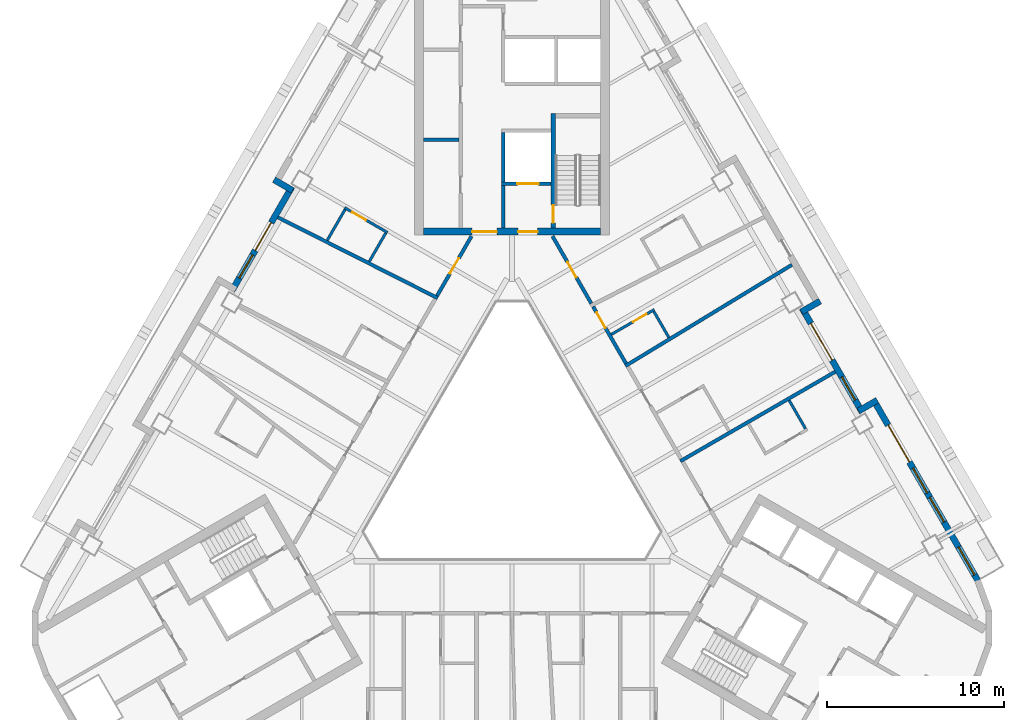
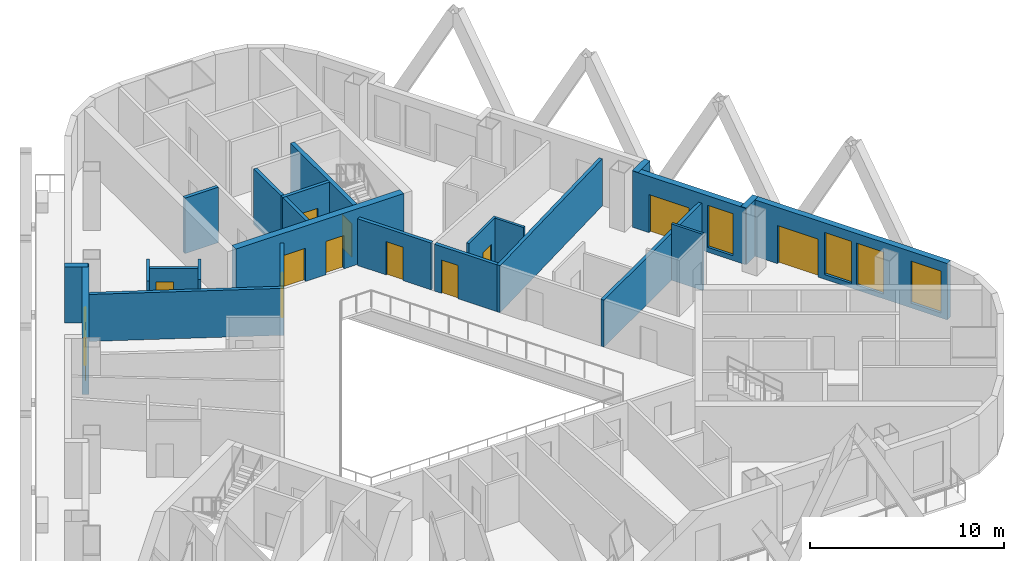
# One storey, part 6 of 14: 24 walls, 12 doors, 5 windows, 17 openings.
"""IFC4 building model written with IfcOpenShell, lengths in metres."""

from ifc_helpers import new_model, si_unit, direction, frame, frame_2d, origin, place, context, subcontext, project, spatial, rectangle, extrude, material, layer, layer_set, type_object, element, fill, save


model = new_model("IFC4")

# Units and contexts
model_context = context("Model", 3, precision=1e-05, world=origin(), true_north=direction((0.0, 1.0)))
body_context = subcontext(model_context, "Body", "Model", "MODEL_VIEW")
ifc_project = project(units=[si_unit("LENGTHUNIT", "METRE"), si_unit("AREAUNIT", "SQUARE_METRE"), si_unit("VOLUMEUNIT", "CUBIC_METRE"), si_unit("PLANEANGLEUNIT", "RADIAN"), si_unit("MASSUNIT", "GRAM", prefix="KILO")], contexts=[model_context])

# Site, building, storey
site_placement = place(None, origin())
site = spatial("IfcSite", under=ifc_project, at=site_placement, CompositionType="ELEMENT")
building_placement = place(site_placement, origin())
building = spatial("IfcBuilding", under=site, at=building_placement, Name="Apuvela Tower Hotel", CompositionType="ELEMENT")
storey_placement = place(building_placement, frame((0.0, 0.0, 90.89990234375)))
storey = spatial("IfcBuildingStorey", under=building, at=storey_placement, Name="L20", CompositionType="ELEMENT", Elevation=90.89990234375)

# Wall, openings, doors
ifc_material_1 = material(Name="Concrete C50/60", Category="concrete")
ifc_layer_1 = layer(ifc_material_1, 0.39990234375)
ifc_layer_set_1 = layer_set([ifc_layer_1], Name="COR-WALL-CORE-400")
wall_type_1 = type_object("IfcWallType", Name="COR-WALL-CORE-400", PredefinedType="SHEAR", material=ifc_layer_set_1)
wall_1_placement = place(storey_placement, frame((5.0, 13.10009765625, 0.0), z_axis=(0.0, 0.0, 1.0), x_axis=(-1.0, 0.0, 0.0)))
wall_1 = element("IfcWall", 1, at=wall_1_placement, inside=storey, type_object=wall_type_1, Name="Core wall N", PredefinedType="SHEAR", context=body_context, shape_type="SweptSolid", body=[
    extrude(rectangle(XDim=10.0, YDim=0.39990234375, at=frame_2d((5.0, 0.0))), origin(), (0.0, 0.0, 1.0), 3.5),
])
opening_1_placement = place(wall_1_placement, frame((3.550048828125, 0.0, 0.0)))
opening_1 = element("IfcOpeningElement", 2, at=opening_1_placement, cuts=wall_1, Name="Opening N-FD", PredefinedType="OPENING", context=body_context, shape_type="SweptSolid", body=[
    extrude(rectangle(XDim=1.10009765625, YDim=2.10009765625, at=frame_2d((0.550048828125, 1.050048828125))), frame((0.0, 0.2099609375, 0.0), z_axis=(0.0, -1.0, 0.0), x_axis=(1.0, 0.0, 0.0)), (0.0, 0.0, 1.0), 0.419921875),
])
opening_2_placement = place(wall_1_placement, frame((5.85009765625, 0.0, 0.0)))
opening_2 = element("IfcOpeningElement", 3, at=opening_2_placement, cuts=wall_1, Name="Opening N-GD", PredefinedType="OPENING", context=body_context, shape_type="SweptSolid", body=[
    extrude(rectangle(XDim=1.39990234375, YDim=2.10009765625, at=frame_2d((0.699951171875, 1.050048828125))), frame((0.0, 0.2099609375, 0.0), z_axis=(0.0, -1.0, 0.0), x_axis=(1.0, 0.0, 0.0)), (0.0, 0.0, 1.0), 0.419921875),
])
ifc_material_2 = material(Name="Steel fire door, powder coated", Category="steel")
door_type_1 = type_object("IfcDoorType", Name="COR-FD-1100", OperationType="NOTDEFINED", PredefinedType="DOOR", material=ifc_material_2)
door_1_placement = place(opening_1_placement, frame((1.10009765625, 0.0, 0.0), z_axis=(0.0, 0.0, 1.0), x_axis=(-1.0, 0.0, 0.0)))
door_1 = element("IfcDoor", 4, at=door_1_placement, inside=storey, type_object=door_type_1, Name="Firefighting lobby door N-FD", OperationType="SINGLE_SWING_LEFT", OverallHeight=2.10009765625, OverallWidth=1.10009765625, PredefinedType="DOOR", context=body_context, shape_type="SweptSolid", body=[
    extrude(rectangle(XDim=1.10009765625, YDim=2.10009765625, at=frame_2d((0.550048828125, 1.050048828125))), frame((0.0, 0.02490234375, 0.0), z_axis=(0.0, -1.0, 0.0), x_axis=(1.0, 0.0, 0.0)), (0.0, 0.0, 1.0), 0.050048828125),
])
fill(opening_1, door_1)
ifc_material_3 = material(Name="Glazed steel fire door", Category="steel")
door_type_2 = type_object("IfcDoorType", Name="COR-GD-1400", OperationType="DOUBLE_DOOR_SINGLE_SWING", PredefinedType="DOOR", material=ifc_material_3)
door_2_placement = place(opening_2_placement, frame((1.39990234375, 0.0, 0.0), z_axis=(0.0, 0.0, 1.0), x_axis=(-1.0, 0.0, 0.0)))
door_2 = element("IfcDoor", 5, at=door_2_placement, inside=storey, type_object=door_type_2, Name="Lift lobby door N-GD", OperationType="DOUBLE_DOOR_SINGLE_SWING", OverallHeight=2.10009765625, OverallWidth=1.39990234375, PredefinedType="DOOR", context=body_context, shape_type="SweptSolid", body=[
    extrude(rectangle(XDim=1.39990234375, YDim=2.10009765625, at=frame_2d((0.699951171875, 1.050048828125))), frame((0.0, 0.02490234375, 0.0), z_axis=(0.0, -1.0, 0.0), x_axis=(1.0, 0.0, 0.0)), (0.0, 0.0, 1.0), 0.050048828125),
])
fill(opening_2, door_2)

# Wall, opening, door
ifc_layer_2 = layer(ifc_material_1, 0.199951171875)
ifc_layer_set_2 = layer_set([ifc_layer_2], Name="COR-WALL-SHAFT-200")
wall_type_2 = type_object("IfcWallType", Name="COR-WALL-SHAFT-200", PredefinedType="SHEAR", material=ifc_layer_set_2)
wall_2_placement = place(storey_placement, frame((2.199951171875, 15.800048828125, 0.0), z_axis=(0.0, 0.0, 1.0), x_axis=(-1.0, 0.0, 0.0)))
wall_2 = element("IfcWall", 6, at=wall_2_placement, inside=storey, type_object=wall_type_2, Name="Shaft wall N", PredefinedType="SHEAR", context=body_context, shape_type="SweptSolid", body=[
    extrude(rectangle(XDim=2.800048828125, YDim=0.199951171875, at=frame_2d((1.39990234375, 0.0))), origin(), (0.0, 0.0, 1.0), 3.5),
])
opening_3_placement = place(wall_2_placement, frame((0.699951171875, 0.0, 0.0)))
opening_3 = element("IfcOpeningElement", 7, at=opening_3_placement, cuts=wall_2, Name="Opening N-LD-FS1", PredefinedType="OPENING", context=body_context, shape_type="SweptSolid", body=[
    extrude(rectangle(XDim=1.199951171875, YDim=2.10009765625, at=frame_2d((0.60009765625, 1.050048828125))), frame((0.0, 0.10986328125, 0.0), z_axis=(0.0, -1.0, 0.0), x_axis=(1.0, 0.0, 0.0)), (0.0, 0.0, 1.0), 0.219970703125),
])
ifc_material_4 = material(Name="Stainless steel lift landing door", Category="steel")
door_type_3 = type_object("IfcDoorType", Name="COR-LD-1200", OperationType="DOUBLE_DOOR_SLIDING", PredefinedType="DOOR", material=ifc_material_4)
door_3_placement = place(opening_3_placement, origin())
door_3 = element("IfcDoor", 8, at=door_3_placement, inside=storey, type_object=door_type_3, Name="Lift landing door N-LD-FS1", OperationType="DOUBLE_DOOR_SLIDING", OverallHeight=2.10009765625, OverallWidth=1.199951171875, PredefinedType="DOOR", context=body_context, shape_type="SweptSolid", body=[
    extrude(rectangle(XDim=1.199951171875, YDim=2.10009765625, at=frame_2d((0.60009765625, 1.050048828125))), frame((0.0, 0.02490234375, 0.0), z_axis=(0.0, -1.0, 0.0), x_axis=(1.0, 0.0, 0.0)), (0.0, 0.0, 1.0), 0.050048828125),
])
fill(opening_3, door_3)

# Walls
wall_3_placement = place(storey_placement, frame((-0.5, 15.89990234375, 0.0), z_axis=(0.0, 0.0, 1.0), x_axis=(0.0, 1.0, 0.0)))
element("IfcWall", 9, at=wall_3_placement, inside=storey, type_object=wall_type_2, Name="Shaft wall N", PredefinedType="SHEAR", context=body_context, shape_type="SweptSolid", body=[
    extrude(rectangle(XDim=2.800048828125, YDim=0.199951171875, at=frame_2d((1.39990234375, 0.0))), origin(), (0.0, 0.0, 1.0), 3.5),
])
wall_4_placement = place(storey_placement, frame((-0.5, 13.300048828125, 0.0), z_axis=(0.0, 0.0, 1.0), x_axis=(0.0, 1.0, 0.0)))
element("IfcWall", 10, at=wall_4_placement, inside=storey, type_object=wall_type_2, Name="Shaft wall N", PredefinedType="SHEAR", context=body_context, shape_type="SweptSolid", body=[
    extrude(rectangle(XDim=2.39990234375, YDim=0.199951171875, at=frame_2d((1.199951171875, 0.0))), origin(), (0.0, 0.0, 1.0), 3.5),
])
wall_5_placement = place(storey_placement, frame((-3.0, 18.280029296875, 0.0), z_axis=(0.0, 0.0, 1.0), x_axis=(-1.0, 0.0, 0.0)))
element("IfcWall", 11, at=wall_5_placement, inside=storey, type_object=wall_type_2, Name="Shaft wall N", PredefinedType="SHEAR", context=body_context, shape_type="SweptSolid", body=[
    extrude(rectangle(XDim=2.0, YDim=0.199951171875, at=frame_2d((1.0, 0.0))), origin(), (0.0, 0.0, 1.0), 3.5),
])

# Wall, opening, door
ifc_layer_3 = layer(ifc_material_1, 0.25)
ifc_layer_set_3 = layer_set([ifc_layer_3], Name="COR-WALL-STAIR-250")
wall_type_3 = type_object("IfcWallType", Name="COR-WALL-STAIR-250", PredefinedType="SHEAR", material=ifc_layer_set_3)
wall_6_placement = place(storey_placement, frame((2.324951171875, 13.300048828125, 0.0), z_axis=(0.0, 0.0, 1.0), x_axis=(0.0, 1.0, 0.0)))
wall_6 = element("IfcWall", 12, at=wall_6_placement, inside=storey, type_object=wall_type_3, Name="Stair wall N", PredefinedType="SHEAR", context=body_context, shape_type="SweptSolid", body=[
    extrude(rectangle(XDim=6.449951171875, YDim=0.25, at=frame_2d((3.22509765625, 0.0))), origin(), (0.0, 0.0, 1.0), 3.5),
])
opening_4_placement = place(wall_6_placement, frame((0.300048828125, 0.0, 0.0)))
opening_4 = element("IfcOpeningElement", 13, at=opening_4_placement, cuts=wall_6, Name="Opening N-SD", PredefinedType="OPENING", context=body_context, shape_type="SweptSolid", body=[
    extrude(rectangle(XDim=1.0, YDim=2.10009765625, at=frame_2d((0.5, 1.050048828125))), frame((0.0, 0.135009765625, 0.0), z_axis=(0.0, -1.0, 0.0), x_axis=(1.0, 0.0, 0.0)), (0.0, 0.0, 1.0), 0.27001953125),
])
door_type_4 = type_object("IfcDoorType", Name="COR-SD-1000", OperationType="NOTDEFINED", PredefinedType="DOOR", material=ifc_material_2)
door_4_placement = place(opening_4_placement, frame((1.0, 0.0, 0.0), z_axis=(0.0, 0.0, 1.0), x_axis=(-1.0, 0.0, 0.0)))
door_4 = element("IfcDoor", 14, at=door_4_placement, inside=storey, type_object=door_type_4, Name="Stair door N-SD", OperationType="SINGLE_SWING_LEFT", OverallHeight=2.10009765625, OverallWidth=1.0, PredefinedType="DOOR", context=body_context, shape_type="SweptSolid", body=[
    extrude(rectangle(XDim=1.0, YDim=2.10009765625, at=frame_2d((0.5, 1.050048828125))), frame((0.0, 0.02490234375, 0.0), z_axis=(0.0, -1.0, 0.0), x_axis=(1.0, 0.0, 0.0)), (0.0, 0.0, 1.0), 0.050048828125),
])
fill(opening_4, door_4)

# Wall
ifc_material_5 = material(Name="Concrete C40/50, dark pigmented precast panel", Category="concrete")
ifc_layer_4 = layer(ifc_material_5, 0.35009765625)
ifc_layer_set_4 = layer_set([ifc_layer_4], Name="ENV-WALL-350")
wall_type_4 = type_object("IfcWallType", Name="ENV-WALL-350", PredefinedType="SOLIDWALL", material=ifc_layer_set_4)
wall_7_placement = place(storey_placement, frame((-13.41259765625, 16.02880859375, 0.0), z_axis=(0.0, 0.0, 1.0), x_axis=(0.866005645448, -0.500034220881, 0.0)))
element("IfcWall", 15, at=wall_7_placement, inside=storey, type_object=wall_type_4, Name="External wall L20-02", PredefinedType="SOLIDWALL", context=body_context, shape_type="SweptSolid", body=[
    extrude(rectangle(XDim=1.22021484375, YDim=0.35009765625, at=frame_2d((0.610107421875, 0.0))), origin(), (0.0, 0.0, 1.0), 3.550048828125),
])

# Wall, openings, door, window
wall_8_placement = place(storey_placement, frame((-12.408935546875, 15.616943359375, 0.0), z_axis=(0.0, 0.0, 1.0), x_axis=(-0.500003597184, -0.866023326939, 0.0)))
wall_8 = element("IfcWall", 16, at=wall_8_placement, inside=storey, type_object=wall_type_4, Name="External wall L20-03", PredefinedType="SOLIDWALL", context=body_context, shape_type="SweptSolid", body=[
    extrude(rectangle(XDim=6.740234375, YDim=0.35009765625, at=frame_2d((3.3701171875, 0.0))), origin(), (0.0, 0.0, 1.0), 3.550048828125),
])
opening_5_placement = place(wall_8_placement, frame((2.320068359375, 0.0, 0.0)))
opening_5 = element("IfcOpeningElement", 17, at=opening_5_placement, cuts=wall_8, Name="Opening BD18", PredefinedType="OPENING", context=body_context, shape_type="SweptSolid", body=[
    extrude(rectangle(XDim=1.800048828125, YDim=2.39990234375, at=frame_2d((0.89990234375, 1.199951171875))), frame((0.0, 0.18505859375, 0.0), z_axis=(0.0, -1.0, 0.0), x_axis=(1.0, 0.0, 0.0)), (0.0, 0.0, 1.0), 0.3701171875),
])
opening_6_placement = place(wall_8_placement, frame((4.419921875, 0.0, 0.300048828125)))
opening_6 = element("IfcOpeningElement", 18, at=opening_6_placement, cuts=wall_8, Name="Opening WN15", PredefinedType="OPENING", context=body_context, shape_type="SweptSolid", body=[
    extrude(rectangle(XDim=1.5, YDim=2.64990234375, at=frame_2d((0.75, 1.324951171875))), frame((0.0, 0.18505859375, 0.0), z_axis=(0.0, -1.0, 0.0), x_axis=(1.0, 0.0, 0.0)), (0.0, 0.0, 1.0), 0.3701171875),
])
ifc_material_6 = material(Name="Aluminium 6063-T6, dark bronze anodised frame with dark tinted laminated glass", Category="aluminium")
door_type_5 = type_object("IfcDoorType", Name="ENV-DOOR-BALCONY-1800x2400", OperationType="SLIDING_TO_LEFT", PredefinedType="DOOR", material=ifc_material_6)
door_5_placement = place(opening_5_placement, frame((1.800048828125, 0.0, 0.0), z_axis=(0.0, 0.0, 1.0), x_axis=(-1.0, 0.0, 0.0)))
door_5 = element("IfcDoor", 19, at=door_5_placement, inside=storey, type_object=door_type_5, Name="Balcony door BD18", OperationType="SLIDING_TO_LEFT", OverallHeight=2.39990234375, OverallWidth=1.800048828125, PredefinedType="DOOR", context=body_context, shape_type="SweptSolid", body=[
    extrude(rectangle(XDim=1.800048828125, YDim=2.39990234375, at=frame_2d((0.89990234375, 1.199951171875))), frame((0.0, 0.02490234375, 0.0), z_axis=(0.0, -1.0, 0.0), x_axis=(1.0, 0.0, 0.0)), (0.0, 0.0, 1.0), 0.050048828125),
])
fill(opening_5, door_5)
ifc_material_7 = material(Name="Glass, dark tinted laminated insulated glazing unit", Category="glass")
window_type_1 = type_object("IfcWindowType", Name="ENV-WIN-1500x2650", PartitioningType="SINGLE_PANEL", PredefinedType="WINDOW", material=ifc_material_7)
window_1_placement = place(opening_6_placement, origin())
window_1 = element("IfcWindow", 20, at=window_1_placement, inside=storey, type_object=window_type_1, Name="Window WN15", OverallHeight=2.64990234375, OverallWidth=1.5, PartitioningType="SINGLE_PANEL", PredefinedType="WINDOW", context=body_context, shape_type="SweptSolid", body=[
    extrude(rectangle(XDim=1.5, YDim=2.64990234375, at=frame_2d((0.75, 1.324951171875))), frame((0.0, 0.030029296875, 0.0), z_axis=(0.0, -1.0, 0.0), x_axis=(1.0, 0.0, 0.0)), (0.0, 0.0, 1.0), 0.06005859375),
])
fill(opening_6, window_1)

# Wall, openings, door, windows
wall_9_placement = place(storey_placement, frame((26.256591796875, -6.5673828125, 0.0), z_axis=(0.0, 0.0, 1.0), x_axis=(-0.500023526245, 0.866011820475, 0.0)))
wall_9 = element("IfcWall", 21, at=wall_9_placement, inside=storey, type_object=wall_type_4, Name="External wall L20-33", PredefinedType="SOLIDWALL", context=body_context, shape_type="SweptSolid", body=[
    extrude(rectangle(XDim=11.81591796875, YDim=0.35009765625, at=frame_2d((5.907958984375, 0.0))), origin(), (0.0, 0.0, 1.0), 3.550048828125),
])
opening_7_placement = place(wall_9_placement, frame((0.380126953125, 0.0, 0.300048828125)))
opening_7 = element("IfcOpeningElement", 22, at=opening_7_placement, cuts=wall_9, Name="Opening WN18", PredefinedType="OPENING", context=body_context, shape_type="SweptSolid", body=[
    extrude(rectangle(XDim=1.800048828125, YDim=2.64990234375, at=frame_2d((0.89990234375, 1.324951171875))), frame((0.0, 0.18505859375, 0.0), z_axis=(0.0, -1.0, 0.0), x_axis=(1.0, 0.0, 0.0)), (0.0, 0.0, 1.0), 0.3701171875),
])
opening_8_placement = place(wall_9_placement, frame((7.71630859375, 0.0, 0.0)))
opening_8 = element("IfcOpeningElement", 23, at=opening_8_placement, cuts=wall_9, Name="Opening BD24", PredefinedType="OPENING", context=body_context, shape_type="SweptSolid", body=[
    extrude(rectangle(XDim=2.39990234375, YDim=2.39990234375, at=frame_2d((1.199951171875, 1.199951171875))), frame((0.0, 0.18505859375, 0.0), z_axis=(0.0, -1.0, 0.0), x_axis=(1.0, 0.0, 0.0)), (0.0, 0.0, 1.0), 0.3701171875),
])
opening_9_placement = place(wall_9_placement, frame((3.81591796875, 0.0, 0.300048828125)))
opening_9 = element("IfcOpeningElement", 24, at=opening_9_placement, cuts=wall_9, Name="Opening WN16", PredefinedType="OPENING", context=body_context, shape_type="SweptSolid", body=[
    extrude(rectangle(XDim=1.60009765625, YDim=2.64990234375, at=frame_2d((0.800048828125, 1.324951171875))), frame((0.0, 0.18505859375, 0.0), z_axis=(0.0, -1.0, 0.0), x_axis=(1.0, 0.0, 0.0)), (0.0, 0.0, 1.0), 0.3701171875),
])
opening_10_placement = place(wall_9_placement, frame((5.7158203125, 0.0, 0.300048828125)))
opening_10 = element("IfcOpeningElement", 25, at=opening_10_placement, cuts=wall_9, Name="Opening WN16", PredefinedType="OPENING", context=body_context, shape_type="SweptSolid", body=[
    extrude(rectangle(XDim=1.60009765625, YDim=2.64990234375, at=frame_2d((0.800048828125, 1.324951171875))), frame((0.0, 0.18505859375, 0.0), z_axis=(0.0, -1.0, 0.0), x_axis=(1.0, 0.0, 0.0)), (0.0, 0.0, 1.0), 0.3701171875),
])
door_type_6 = type_object("IfcDoorType", Name="ENV-DOOR-BALCONY-2400x2400", OperationType="SLIDING_TO_LEFT", PredefinedType="DOOR", material=ifc_material_6)
door_6_placement = place(opening_8_placement, frame((2.39990234375, 0.0, 0.0), z_axis=(0.0, 0.0, 1.0), x_axis=(-1.0, 0.0, 0.0)))
door_6 = element("IfcDoor", 26, at=door_6_placement, inside=storey, type_object=door_type_6, Name="Balcony door BD24", OperationType="SLIDING_TO_LEFT", OverallHeight=2.39990234375, OverallWidth=2.39990234375, PredefinedType="DOOR", context=body_context, shape_type="SweptSolid", body=[
    extrude(rectangle(XDim=2.39990234375, YDim=2.39990234375, at=frame_2d((1.199951171875, 1.199951171875))), frame((0.0, 0.02490234375, 0.0), z_axis=(0.0, -1.0, 0.0), x_axis=(1.0, 0.0, 0.0)), (0.0, 0.0, 1.0), 0.050048828125),
])
fill(opening_8, door_6)
window_type_2 = type_object("IfcWindowType", Name="ENV-WIN-1600x2650", PartitioningType="SINGLE_PANEL", PredefinedType="WINDOW", material=ifc_material_7)
window_2_placement = place(opening_9_placement, origin())
window_2 = element("IfcWindow", 27, at=window_2_placement, inside=storey, type_object=window_type_2, Name="Window WN16", OverallHeight=2.64990234375, OverallWidth=1.60009765625, PartitioningType="SINGLE_PANEL", PredefinedType="WINDOW", context=body_context, shape_type="SweptSolid", body=[
    extrude(rectangle(XDim=1.60009765625, YDim=2.64990234375, at=frame_2d((0.800048828125, 1.324951171875))), frame((0.0, 0.030029296875, 0.0), z_axis=(0.0, -1.0, 0.0), x_axis=(1.0, 0.0, 0.0)), (0.0, 0.0, 1.0), 0.06005859375),
])
fill(opening_9, window_2)
window_3_placement = place(opening_10_placement, origin())
window_3 = element("IfcWindow", 28, at=window_3_placement, inside=storey, type_object=window_type_2, Name="Window WN16", OverallHeight=2.64990234375, OverallWidth=1.60009765625, PartitioningType="SINGLE_PANEL", PredefinedType="WINDOW", context=body_context, shape_type="SweptSolid", body=[
    extrude(rectangle(XDim=1.60009765625, YDim=2.64990234375, at=frame_2d((0.800048828125, 1.324951171875))), frame((0.0, 0.030029296875, 0.0), z_axis=(0.0, -1.0, 0.0), x_axis=(1.0, 0.0, 0.0)), (0.0, 0.0, 1.0), 0.06005859375),
])
fill(opening_10, window_3)
window_type_3 = type_object("IfcWindowType", Name="ENV-WIN-1800x2650", PartitioningType="SINGLE_PANEL", PredefinedType="WINDOW", material=ifc_material_7)
window_4_placement = place(opening_7_placement, origin())
window_4 = element("IfcWindow", 29, at=window_4_placement, inside=storey, type_object=window_type_3, Name="Window WN18", OverallHeight=2.64990234375, OverallWidth=1.800048828125, PartitioningType="SINGLE_PANEL", PredefinedType="WINDOW", context=body_context, shape_type="SweptSolid", body=[
    extrude(rectangle(XDim=1.800048828125, YDim=2.64990234375, at=frame_2d((0.89990234375, 1.324951171875))), frame((0.0, 0.030029296875, 0.0), z_axis=(0.0, -1.0, 0.0), x_axis=(1.0, 0.0, 0.0)), (0.0, 0.0, 1.0), 0.06005859375),
])
fill(opening_7, window_4)

# Wall
wall_10_placement = place(storey_placement, frame((20.587646484375, 3.601318359375, 0.0), z_axis=(0.0, 0.0, 1.0), x_axis=(-0.866005645448, -0.500034220881, 0.0)))
element("IfcWall", 30, at=wall_10_placement, inside=storey, type_object=wall_type_4, Name="External wall L20-34", PredefinedType="SOLIDWALL", context=body_context, shape_type="SweptSolid", body=[
    extrude(rectangle(XDim=1.22021484375, YDim=0.35009765625, at=frame_2d((0.610107421875, 0.0))), origin(), (0.0, 0.0, 1.0), 3.550048828125),
])

# Wall, openings, door, window
wall_11_placement = place(storey_placement, frame((19.72900390625, 2.93798828125, 0.0), z_axis=(0.0, 0.0, 1.0), x_axis=(-0.499976430342, 0.866039011305, 0.0)))
wall_11 = element("IfcWall", 31, at=wall_11_placement, inside=storey, type_object=wall_type_4, Name="External wall L20-35", PredefinedType="SOLIDWALL", context=body_context, shape_type="SweptSolid", body=[
    extrude(rectangle(XDim=6.739990234375, YDim=0.35009765625, at=frame_2d((3.3701171875, 0.0))), origin(), (0.0, 0.0, 1.0), 3.550048828125),
])
opening_11_placement = place(wall_11_placement, frame((0.77001953125, 0.0, 0.300048828125)))
opening_11 = element("IfcOpeningElement", 32, at=opening_11_placement, cuts=wall_11, Name="Opening WN15", PredefinedType="OPENING", context=body_context, shape_type="SweptSolid", body=[
    extrude(rectangle(XDim=1.5, YDim=2.64990234375, at=frame_2d((0.75, 1.324951171875))), frame((0.0, 0.18505859375, 0.0), z_axis=(0.0, -1.0, 0.0), x_axis=(1.0, 0.0, 0.0)), (0.0, 0.0, 1.0), 0.3701171875),
])
opening_12_placement = place(wall_11_placement, frame((3.3701171875, 0.0, 0.0)))
opening_12 = element("IfcOpeningElement", 33, at=opening_12_placement, cuts=wall_11, Name="Opening BD24", PredefinedType="OPENING", context=body_context, shape_type="SweptSolid", body=[
    extrude(rectangle(XDim=2.39990234375, YDim=2.39990234375, at=frame_2d((1.199951171875, 1.199951171875))), frame((0.0, 0.18505859375, 0.0), z_axis=(0.0, -1.0, 0.0), x_axis=(1.0, 0.0, 0.0)), (0.0, 0.0, 1.0), 0.3701171875),
])
door_7_placement = place(opening_12_placement, frame((2.39990234375, 0.0, 0.0), z_axis=(0.0, 0.0, 1.0), x_axis=(-1.0, 0.0, 0.0)))
door_7 = element("IfcDoor", 34, at=door_7_placement, inside=storey, type_object=door_type_6, Name="Balcony door BD24", OperationType="SLIDING_TO_LEFT", OverallHeight=2.39990234375, OverallWidth=2.39990234375, PredefinedType="DOOR", context=body_context, shape_type="SweptSolid", body=[
    extrude(rectangle(XDim=2.39990234375, YDim=2.39990234375, at=frame_2d((1.199951171875, 1.199951171875))), frame((0.0, 0.02490234375, 0.0), z_axis=(0.0, -1.0, 0.0), x_axis=(1.0, 0.0, 0.0)), (0.0, 0.0, 1.0), 0.050048828125),
])
fill(opening_12, door_7)
window_5_placement = place(opening_11_placement, origin())
window_5 = element("IfcWindow", 35, at=window_5_placement, inside=storey, type_object=window_type_1, Name="Window WN15", OverallHeight=2.64990234375, OverallWidth=1.5, PartitioningType="SINGLE_PANEL", PredefinedType="WINDOW", context=body_context, shape_type="SweptSolid", body=[
    extrude(rectangle(XDim=1.5, YDim=2.64990234375, at=frame_2d((0.75, 1.324951171875))), frame((0.0, 0.030029296875, 0.0), z_axis=(0.0, -1.0, 0.0), x_axis=(1.0, 0.0, 0.0)), (0.0, 0.0, 1.0), 0.06005859375),
])
fill(opening_11, window_5)

# Walls
wall_12_placement = place(storey_placement, frame((16.305908203125, 8.5771484375, 0.0), z_axis=(0.0, 0.0, 1.0), x_axis=(0.866092288191, 0.499884134912, 0.0)))
element("IfcWall", 36, at=wall_12_placement, inside=storey, type_object=wall_type_4, Name="External wall L20-36", PredefinedType="SOLIDWALL", context=body_context, shape_type="SweptSolid", body=[
    extrude(rectangle(XDim=1.219970703125, YDim=0.35009765625, at=frame_2d((0.60986328125, 0.0))), origin(), (0.0, 0.0, 1.0), 3.550048828125),
])
ifc_material_8 = material(Name="Gypsum board partition on twin steel stud", Category="steel")
ifc_layer_5 = layer(ifc_material_8, 0.199951171875)
ifc_layer_set_5 = layer_set([ifc_layer_5], Name="GST-PW1")
wall_type_5 = type_object("IfcWallType", Name="GST-PW1", PredefinedType="PARTITIONING", material=ifc_layer_set_5)
wall_13_placement = place(storey_placement, frame((18.217529296875, 5.206298828125, 0.0), z_axis=(0.0, 0.0, 1.0), x_axis=(-0.866022637375, -0.500004791531, 0.0)))
element("IfcWall", 37, at=wall_13_placement, inside=storey, type_object=wall_type_5, Name="L20 partition 05", PredefinedType="PARTITIONING", context=body_context, shape_type="SweptSolid", body=[
    extrude(rectangle(XDim=10.080078125, YDim=0.199951171875, at=frame_2d((5.0400390625, 0.0))), origin(), (0.0, 0.0, 1.0), 2.960205078125),
])
wall_14_placement = place(storey_placement, frame((15.777099609375, 11.2333984375, 0.0), z_axis=(0.0, 0.0, 1.0), x_axis=(-0.854689239939, -0.519139964877, 0.0)))
element("IfcWall", 38, at=wall_14_placement, inside=storey, type_object=wall_type_5, Name="L20 partition 06", PredefinedType="PARTITIONING", context=body_context, shape_type="SweptSolid", body=[
    extrude(rectangle(XDim=10.98291015625, YDim=0.199951171875, at=frame_2d((5.491455078125, 0.0))), origin(), (0.0, 0.0, 1.0), 2.960205078125),
])
wall_15_placement = place(storey_placement, frame((-13.1923828125, 13.909912109375, 0.0), z_axis=(0.0, 0.0, 1.0), x_axis=(0.892469554868, -0.451107629766, 0.0)))
element("IfcWall", 39, at=wall_15_placement, inside=storey, type_object=wall_type_5, Name="L20 partition 08", PredefinedType="PARTITIONING", context=body_context, shape_type="SweptSolid", body=[
    extrude(rectangle(XDim=10.095703125, YDim=0.199951171875, at=frame_2d((5.0478515625, 0.0))), origin(), (0.0, 0.0, 1.0), 2.960205078125),
])

# Wall, opening, door
ifc_material_9 = material(Name="Gypsum board corridor wall on twin steel stud, acoustic", Category="steel")
ifc_layer_6 = layer(ifc_material_9, 0.199951171875)
ifc_layer_set_6 = layer_set([ifc_layer_6], Name="GST-PW2")
wall_type_6 = type_object("IfcWallType", Name="GST-PW2", PredefinedType="PARTITIONING", material=ifc_layer_set_6)
wall_16_placement = place(storey_placement, frame((4.572021484375, 8.880859375, 0.0), z_axis=(0.0, 0.0, 1.0), x_axis=(0.500041684057, -0.866001336145, 0.0)))
wall_16 = element("IfcWall", 40, at=wall_16_placement, inside=storey, type_object=wall_type_6, Name="L20 partition 35", PredefinedType="PARTITIONING", context=body_context, shape_type="SweptSolid", body=[
    extrude(rectangle(XDim=3.707275390625, YDim=0.199951171875, at=frame_2d((1.853515625, 0.0))), origin(), (0.0, 0.0, 1.0), 2.9501953125),
])
opening_13_placement = place(wall_16_placement, frame((0.39990234375, 0.0, 0.0)))
opening_13 = element("IfcOpeningElement", 41, at=opening_13_placement, cuts=wall_16, Name="Opening GD06-16", PredefinedType="OPENING", context=body_context, shape_type="SweptSolid", body=[
    extrude(rectangle(XDim=1.0, YDim=2.10009765625, at=frame_2d((0.5, 1.050048828125))), frame((0.0, 0.10986328125, 0.0), z_axis=(0.0, -1.0, 0.0), x_axis=(1.0, 0.0, 0.0)), (0.0, 0.0, 1.0), 0.219970703125),
])
ifc_material_10 = material(Name="Timber door leaf in steel frame", Category="steel")
door_type_7 = type_object("IfcDoorType", Name="GST-D1", OperationType="NOTDEFINED", PredefinedType="DOOR", material=ifc_material_10)
door_8_placement = place(opening_13_placement, origin())
door_8 = element("IfcDoor", 42, at=door_8_placement, inside=storey, type_object=door_type_7, Name="Door L20-16", OperationType="SINGLE_SWING_LEFT", OverallHeight=2.10009765625, OverallWidth=1.0, PredefinedType="DOOR", context=body_context, shape_type="SweptSolid", body=[
    extrude(rectangle(XDim=1.0, YDim=2.10009765625, at=frame_2d((0.5, 1.050048828125))), frame((0.0, 0.02490234375, 0.0), z_axis=(0.0, -1.0, 0.0), x_axis=(1.0, 0.0, 0.0)), (0.0, 0.0, 1.0), 0.050048828125),
])
fill(opening_13, door_8)

wall_17_placement = place(storey_placement, frame((2.280517578125, 12.85009765625, 0.0), z_axis=(0.0, 0.0, 1.0), x_axis=(0.499973180286, -0.8660408876, 0.0)))
wall_17 = element("IfcWall", 43, at=wall_17_placement, inside=storey, type_object=wall_type_6, Name="L20 partition 38", PredefinedType="PARTITIONING", context=body_context, shape_type="SweptSolid", body=[
    extrude(rectangle(XDim=4.383056640625, YDim=0.199951171875, at=frame_2d((2.19140625, 0.0))), origin(), (0.0, 0.0, 1.0), 2.9501953125),
])
opening_14_placement = place(wall_17_placement, frame((1.69140625, 0.0, 0.0)))
opening_14 = element("IfcOpeningElement", 44, at=opening_14_placement, cuts=wall_17, Name="Opening GD06-18", PredefinedType="OPENING", context=body_context, shape_type="SweptSolid", body=[
    extrude(rectangle(XDim=1.0, YDim=2.10009765625, at=frame_2d((0.5, 1.050048828125))), frame((0.0, 0.10986328125, 0.0), z_axis=(0.0, -1.0, 0.0), x_axis=(1.0, 0.0, 0.0)), (0.0, 0.0, 1.0), 0.219970703125),
])
door_9_placement = place(opening_14_placement, origin())
door_9 = element("IfcDoor", 45, at=door_9_placement, inside=storey, type_object=door_type_7, Name="Door L20-18", OperationType="SINGLE_SWING_RIGHT", OverallHeight=2.10009765625, OverallWidth=1.0, PredefinedType="DOOR", context=body_context, shape_type="SweptSolid", body=[
    extrude(rectangle(XDim=1.0, YDim=2.10009765625, at=frame_2d((0.5, 1.050048828125))), frame((0.0, 0.02490234375, 0.0), z_axis=(0.0, -1.0, 0.0), x_axis=(1.0, 0.0, 0.0)), (0.0, 0.0, 1.0), 0.050048828125),
])
fill(opening_14, door_9)

wall_18_placement = place(storey_placement, frame((-4.2216796875, 9.48779296875, 0.0), z_axis=(0.0, 0.0, 1.0), x_axis=(0.49998736472, 0.866032698644, 0.0)))
wall_18 = element("IfcWall", 46, at=wall_18_placement, inside=storey, type_object=wall_type_6, Name="L20 partition 42", PredefinedType="PARTITIONING", context=body_context, shape_type="SweptSolid", body=[
    extrude(rectangle(XDim=3.88232421875, YDim=0.199951171875, at=frame_2d((1.941162109375, 0.0))), origin(), (0.0, 0.0, 1.0), 2.9501953125),
])
opening_15_placement = place(wall_18_placement, frame((1.44140625, 0.0, 0.0)))
opening_15 = element("IfcOpeningElement", 47, at=opening_15_placement, cuts=wall_18, Name="Opening GD06-20", PredefinedType="OPENING", context=body_context, shape_type="SweptSolid", body=[
    extrude(rectangle(XDim=1.0, YDim=2.10009765625, at=frame_2d((0.5, 1.050048828125))), frame((0.0, 0.10986328125, 0.0), z_axis=(0.0, -1.0, 0.0), x_axis=(1.0, 0.0, 0.0)), (0.0, 0.0, 1.0), 0.219970703125),
])
door_10_placement = place(opening_15_placement, origin())
door_10 = element("IfcDoor", 48, at=door_10_placement, inside=storey, type_object=door_type_7, Name="Door L20-20", OperationType="SINGLE_SWING_LEFT", OverallHeight=2.10009765625, OverallWidth=1.0, PredefinedType="DOOR", context=body_context, shape_type="SweptSolid", body=[
    extrude(rectangle(XDim=1.0, YDim=2.10009765625, at=frame_2d((0.5, 1.050048828125))), frame((0.0, 0.02490234375, 0.0), z_axis=(0.0, -1.0, 0.0), x_axis=(1.0, 0.0, 0.0)), (0.0, 0.0, 1.0), 0.050048828125),
])
fill(opening_15, door_10)

# Wall
ifc_material_11 = material(Name="Moisture-resistant gypsum board wet wall on steel stud", Category="steel")
ifc_layer_7 = layer(ifc_material_11, 0.14990234375)
ifc_layer_set_7 = layer_set([ifc_layer_7], Name="GST-PW3")
wall_type_7 = type_object("IfcWallType", Name="GST-PW3", PredefinedType="PARTITIONING", material=ifc_layer_set_7)
wall_19_placement = place(storey_placement, frame((16.546875, 1.989990234375, 0.0), z_axis=(0.0, 0.0, 1.0), x_axis=(-0.499985172903, 0.866033964044, 0.0)))
element("IfcWall", 49, at=wall_19_placement, inside=storey, type_object=wall_type_7, Name="L20 partition 30", PredefinedType="PARTITIONING", context=body_context, shape_type="SweptSolid", body=[
    extrude(rectangle(XDim=1.85009765625, YDim=0.14990234375, at=frame_2d((0.925048828125, 0.0))), origin(), (0.0, 0.0, 1.0), 3.550048828125),
])

# Wall, opening, door
wall_20_placement = place(storey_placement, frame((8.02001953125, 8.708984375, 0.0), z_axis=(0.0, 0.0, 1.0), x_axis=(-0.866034573852, -0.49998411664, 0.0)))
wall_20 = element("IfcWall", 50, at=wall_20_placement, inside=storey, type_object=wall_type_7, Name="L20 partition 36", PredefinedType="PARTITIONING", context=body_context, shape_type="SweptSolid", body=[
    extrude(rectangle(XDim=2.7998046875, YDim=0.14990234375, at=frame_2d((1.39990234375, 0.0))), origin(), (0.0, 0.0, 1.0), 3.550048828125),
])
opening_16_placement = place(wall_20_placement, frame((0.5, 0.0, 0.0)))
opening_16 = element("IfcOpeningElement", 51, at=opening_16_placement, cuts=wall_20, Name="Opening GD06-15", PredefinedType="OPENING", context=body_context, shape_type="SweptSolid", body=[
    extrude(rectangle(XDim=0.89990234375, YDim=2.10009765625, at=frame_2d((0.449951171875, 1.050048828125))), frame((0.0, 0.0849609375, 0.0), z_axis=(0.0, -1.0, 0.0), x_axis=(1.0, 0.0, 0.0)), (0.0, 0.0, 1.0), 0.169921875),
])
door_type_8 = type_object("IfcDoorType", Name="GST-D2", OperationType="NOTDEFINED", PredefinedType="DOOR", material=ifc_material_10)
door_11_placement = place(opening_16_placement, origin())
door_11 = element("IfcDoor", 52, at=door_11_placement, inside=storey, type_object=door_type_8, Name="Door L20-15", OperationType="SINGLE_SWING_LEFT", OverallHeight=2.10009765625, OverallWidth=0.89990234375, PredefinedType="DOOR", context=body_context, shape_type="SweptSolid", body=[
    extrude(rectangle(XDim=0.89990234375, YDim=2.10009765625, at=frame_2d((0.449951171875, 1.050048828125))), frame((0.0, 0.02490234375, 0.0), z_axis=(0.0, -1.0, 0.0), x_axis=(1.0, 0.0, 0.0)), (0.0, 0.0, 1.0), 0.050048828125),
])
fill(opening_16, door_11)

# Wall
wall_21_placement = place(storey_placement, frame((8.8408203125, 7.13720703125, 0.0), z_axis=(0.0, 0.0, 1.0), x_axis=(-0.500054617923, 0.865993867816, 0.0)))
element("IfcWall", 53, at=wall_21_placement, inside=storey, type_object=wall_type_7, Name="L20 partition 37", PredefinedType="PARTITIONING", context=body_context, shape_type="SweptSolid", body=[
    extrude(rectangle(XDim=1.696533203125, YDim=0.14990234375, at=frame_2d((0.84814453125, 0.0))), origin(), (0.0, 0.0, 1.0), 3.550048828125),
])

# Wall, opening, door
wall_22_placement = place(storey_placement, frame((-7.013427734375, 13.052490234375, 0.0), z_axis=(0.0, 0.0, 1.0), x_axis=(-0.866034573852, 0.49998411664, 0.0)))
wall_22 = element("IfcWall", 54, at=wall_22_placement, inside=storey, type_object=wall_type_7, Name="L20 partition 43", PredefinedType="PARTITIONING", context=body_context, shape_type="SweptSolid", body=[
    extrude(rectangle(XDim=2.7998046875, YDim=0.14990234375, at=frame_2d((1.39990234375, 0.0))), origin(), (0.0, 0.0, 1.0), 2.9501953125),
])
opening_17_placement = place(wall_22_placement, frame((1.39990234375, 0.0, 0.0)))
opening_17 = element("IfcOpeningElement", 55, at=opening_17_placement, cuts=wall_22, Name="Opening GD06-19", PredefinedType="OPENING", context=body_context, shape_type="SweptSolid", body=[
    extrude(rectangle(XDim=0.89990234375, YDim=2.10009765625, at=frame_2d((0.449951171875, 1.050048828125))), frame((0.0, 0.0849609375, 0.0), z_axis=(0.0, -1.0, 0.0), x_axis=(1.0, 0.0, 0.0)), (0.0, 0.0, 1.0), 0.169921875),
])
door_12_placement = place(opening_17_placement, origin())
door_12 = element("IfcDoor", 56, at=door_12_placement, inside=storey, type_object=door_type_8, Name="Door L20-19", OperationType="SINGLE_SWING_RIGHT", OverallHeight=2.10009765625, OverallWidth=0.89990234375, PredefinedType="DOOR", context=body_context, shape_type="SweptSolid", body=[
    extrude(rectangle(XDim=0.89990234375, YDim=2.10009765625, at=frame_2d((0.449951171875, 1.050048828125))), frame((0.0, 0.02490234375, 0.0), z_axis=(0.0, -1.0, 0.0), x_axis=(1.0, 0.0, 0.0)), (0.0, 0.0, 1.0), 0.050048828125),
])
fill(opening_17, door_12)

# Walls
wall_23_placement = place(storey_placement, frame((-9.410888671875, 14.349853515625, 0.0), z_axis=(0.0, 0.0, 1.0), x_axis=(-0.499982900776, -0.866035275801, 0.0)))
element("IfcWall", 57, at=wall_23_placement, inside=storey, type_object=wall_type_7, Name="L20 partition 44", PredefinedType="PARTITIONING", context=body_context, shape_type="SweptSolid", body=[
    extrude(rectangle(XDim=2.00146484375, YDim=0.14990234375, at=frame_2d((1.000732421875, 0.0))), origin(), (0.0, 0.0, 1.0), 3.550048828125),
])
wall_24_placement = place(storey_placement, frame((-7.115966796875, 13.02490234375, 0.0), z_axis=(0.0, 0.0, 1.0), x_axis=(-0.4999770169, -0.866038672677, 0.0)))
element("IfcWall", 58, at=wall_24_placement, inside=storey, type_object=wall_type_7, Name="L20 partition 45", PredefinedType="PARTITIONING", context=body_context, shape_type="SweptSolid", body=[
    extrude(rectangle(XDim=1.85400390625, YDim=0.14990234375, at=frame_2d((0.927001953125, 0.0))), origin(), (0.0, 0.0, 1.0), 3.550048828125),
])

save(model, "model.ifc")
